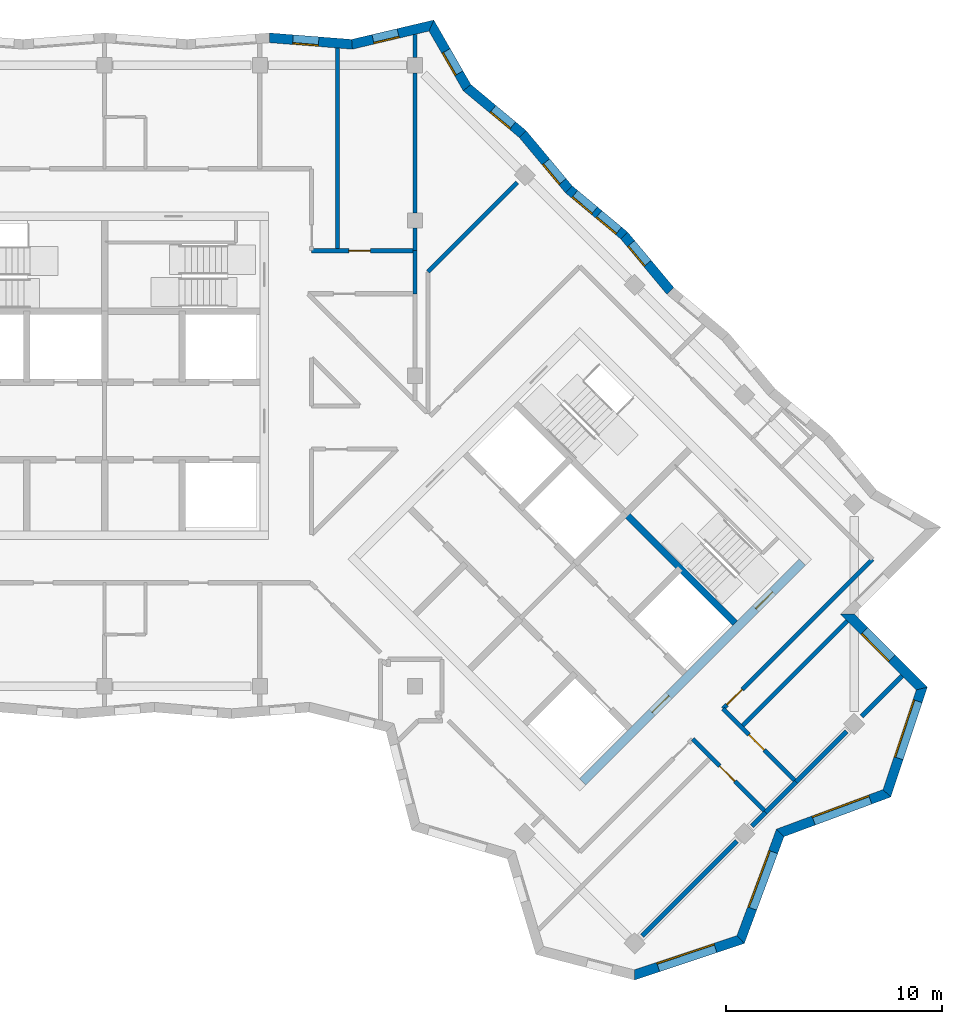
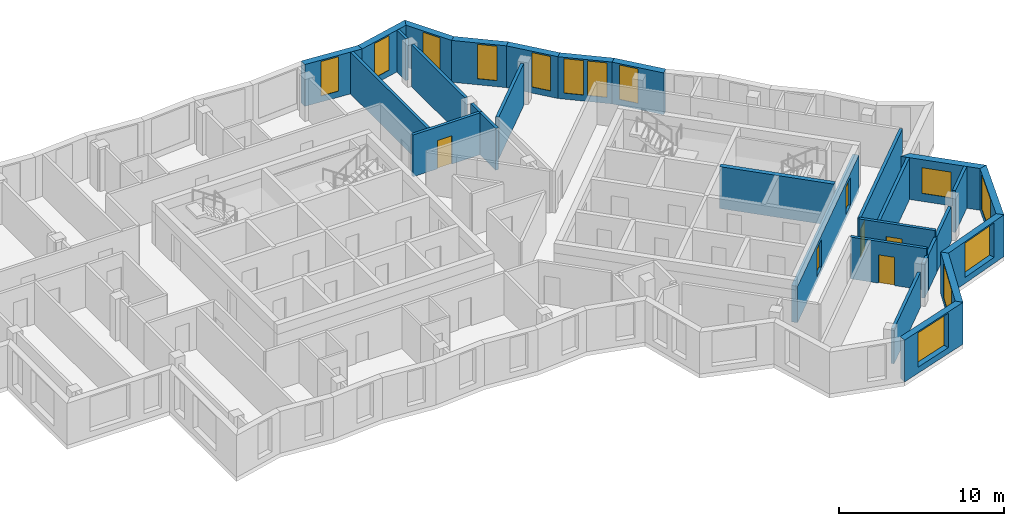
# One storey, part 7 of 13: 30 walls, 13 windows, 6 doors, 19 openings.
"""IFC4 building model written with IfcOpenShell, lengths in metres."""

from ifc_helpers import new_model, si_unit, direction, frame, frame_2d, origin, place, context, subcontext, project, spatial, polyline, rectangle, outline, extrude, material, layer, layer_set, type_object, element, fill, save


model = new_model("IFC4")

# Units and contexts
model_context = context("Model", 3, precision=1e-05, world=origin(), true_north=direction((0.0, 1.0)))
body_context = subcontext(model_context, "Body", "Model", "MODEL_VIEW")
ifc_project = project(units=[si_unit("LENGTHUNIT", "METRE"), si_unit("AREAUNIT", "SQUARE_METRE"), si_unit("VOLUMEUNIT", "CUBIC_METRE"), si_unit("PLANEANGLEUNIT", "RADIAN"), si_unit("MASSUNIT", "GRAM", prefix="KILO")], contexts=[model_context])

# Site, building, storey
site_placement = place(None, origin())
site = spatial("IfcSite", under=ifc_project, at=site_placement, CompositionType="ELEMENT")
building_placement = place(site_placement, origin())
building = spatial("IfcBuilding", under=site, at=building_placement, Name="Windrow Commons", CompositionType="ELEMENT")
storey_placement = place(building_placement, frame((0.0, 0.0, 243.8)))
storey = spatial("IfcBuildingStorey", under=building, at=storey_placement, Name="L66", CompositionType="ELEMENT", Elevation=243.8)

# Wall, opening, window
ifc_material_1 = material(Name="Brick masonry, red clay brick", Category="masonry")
ifc_layer_1 = layer(ifc_material_1, 0.45)
ifc_layer_set_1 = layer_set([ifc_layer_1], Name="Brick facade wall 450")
wall_type_1 = type_object("IfcWallType", Name="Brick facade wall 450", PredefinedType="SOLIDWALL", material=ifc_layer_set_1)
wall_1_placement = place(storey_placement, frame((89.3743, 29.8081, 0.0), z_axis=(0.0, 0.0, 1.0), x_axis=(0.948685224, 0.3162219882, 0.0)))
wall_1 = element("IfcWall", 1, at=wall_1_placement, inside=storey, type_object=wall_type_1, Name="Brick facade wall L66 1", PredefinedType="SOLIDWALL", context=body_context, shape_type="SweptSolid", body=[
    extrude(outline(polyline([(-0.0665, -0.225), (5.3, -0.225), (5.0845, 0.225), (0.0665, 0.225), (-0.0665, -0.225)])), origin(), (0.0, 0.0, 1.0), 3.1),
])
opening_1_placement = place(wall_1_placement, frame((1.157, 0.0, 0.45)))
opening_1 = element("IfcOpeningElement", 2, at=opening_1_placement, cuts=wall_1, Name="Opening W1V", PredefinedType="OPENING", context=body_context, shape_type="SweptSolid", body=[
    extrude(rectangle(XDim=2.8, YDim=2.55, at=frame_2d((1.4, 1.275))), frame((0.0, 0.235, 0.0), z_axis=(0.0, -1.0, 0.0), x_axis=(1.0, 0.0, 0.0)), (0.0, 0.0, 1.0), 0.47),
])
ifc_material_2 = material(Name="Clear float glass in anodised aluminium frame", Category="aluminium")
window_type_1 = type_object("IfcWindowType", Name="Window W1V bedroom 2800x2550", PartitioningType="SINGLE_PANEL", PredefinedType="WINDOW", material=ifc_material_2)
window_1_placement = place(opening_1_placement, origin())
window_1 = element("IfcWindow", 3, at=window_1_placement, inside=storey, type_object=window_type_1, Name="Window L66 1.1", OverallHeight=2.55, OverallWidth=2.8, PartitioningType="SINGLE_PANEL", PredefinedType="WINDOW", context=body_context, shape_type="SweptSolid", body=[
    extrude(rectangle(XDim=2.8, YDim=2.55, at=frame_2d((1.4, 1.275))), frame((0.0, 0.205, 0.0), z_axis=(0.0, -1.0, 0.0), x_axis=(1.0, 0.0, 0.0)), (0.0, 0.0, 1.0), 0.06),
])
fill(opening_1, window_1)

wall_2_placement = place(storey_placement, frame((94.3001, 31.45, 0.0), z_axis=(0.0, 0.0, 1.0), x_axis=(0.3481927166, 0.9374229739, 0.0)))
wall_2 = element("IfcWall", 4, at=wall_2_placement, inside=storey, type_object=wall_type_1, Name="Brick facade wall L66 2", PredefinedType="SOLIDWALL", context=body_context, shape_type="SweptSolid", body=[
    extrude(outline(polyline([(-0.1078, -0.225), (5.1724, -0.225), (5.3786, 0.225), (0.1078, 0.225), (-0.1078, -0.225)])), origin(), (0.0, 0.0, 1.0), 3.1),
])
opening_2_placement = place(wall_2_placement, frame((1.5336, 0.0, 0.45)))
opening_2 = element("IfcOpeningElement", 5, at=opening_2_placement, cuts=wall_2, Name="Opening W1V", PredefinedType="OPENING", context=body_context, shape_type="SweptSolid", body=[
    extrude(rectangle(XDim=2.8, YDim=2.55, at=frame_2d((1.4, 1.275))), frame((0.0, 0.235, 0.0), z_axis=(0.0, -1.0, 0.0), x_axis=(1.0, 0.0, 0.0)), (0.0, 0.0, 1.0), 0.47),
])
window_2_placement = place(opening_2_placement, origin())
window_2 = element("IfcWindow", 6, at=window_2_placement, inside=storey, type_object=window_type_1, Name="Window L66 2.1", OverallHeight=2.55, OverallWidth=2.8, PartitioningType="SINGLE_PANEL", PredefinedType="WINDOW", context=body_context, shape_type="SweptSolid", body=[
    extrude(rectangle(XDim=2.8, YDim=2.55, at=frame_2d((1.4, 1.275))), frame((0.0, 0.205, 0.0), z_axis=(0.0, -1.0, 0.0), x_axis=(1.0, 0.0, 0.0)), (0.0, 0.0, 1.0), 0.06),
])
fill(opening_2, window_2)

wall_3_placement = place(storey_placement, frame((96.137, 36.3954, 0.0), z_axis=(0.0, 0.0, 1.0), x_axis=(0.937429161, 0.3481760591, 0.0)))
wall_3 = element("IfcWall", 7, at=wall_3_placement, inside=storey, type_object=wall_type_1, Name="Brick facade wall L66 3", PredefinedType="SOLIDWALL", context=body_context, shape_type="SweptSolid", body=[
    extrude(outline(polyline([(0.1031, -0.225), (5.3833, -0.225), (5.1677, 0.225), (-0.1031, 0.225), (0.1031, -0.225)])), origin(), (0.0, 0.0, 1.0), 3.1),
])
opening_3_placement = place(wall_3_placement, frame((1.6509, 0.0, 0.45)))
opening_3 = element("IfcOpeningElement", 8, at=opening_3_placement, cuts=wall_3, Name="Opening W1V", PredefinedType="OPENING", context=body_context, shape_type="SweptSolid", body=[
    extrude(rectangle(XDim=2.8, YDim=2.55, at=frame_2d((1.4, 1.275))), frame((0.0, 0.235, 0.0), z_axis=(0.0, -1.0, 0.0), x_axis=(1.0, 0.0, 0.0)), (0.0, 0.0, 1.0), 0.47),
])
window_3_placement = place(opening_3_placement, origin())
window_3 = element("IfcWindow", 9, at=window_3_placement, inside=storey, type_object=window_type_1, Name="Window L66 3.1", OverallHeight=2.55, OverallWidth=2.8, PartitioningType="SINGLE_PANEL", PredefinedType="WINDOW", context=body_context, shape_type="SweptSolid", body=[
    extrude(rectangle(XDim=2.8, YDim=2.55, at=frame_2d((1.4, 1.275))), frame((0.0, 0.205, 0.0), z_axis=(0.0, -1.0, 0.0), x_axis=(1.0, 0.0, 0.0)), (0.0, 0.0, 1.0), 0.06),
])
fill(opening_3, window_3)

wall_4_placement = place(storey_placement, frame((101.0824, 38.2322, 0.0), z_axis=(0.0, 0.0, 1.0), x_axis=(0.316227766, 0.9486832981, 0.0)))
wall_4 = element("IfcWall", 10, at=wall_4_placement, inside=storey, type_object=wall_type_1, Name="Brick facade wall L66 4", PredefinedType="SOLIDWALL", context=body_context, shape_type="SweptSolid", body=[
    extrude(outline(polyline([(-0.1078, -0.225), (5.2588, -0.225), (4.9807, 0.225), (0.1078, 0.225), (-0.1078, -0.225)])), origin(), (0.0, 0.0, 1.0), 3.1),
])
opening_4_placement = place(wall_4_placement, frame((1.7112, 0.0, 0.45)))
opening_4 = element("IfcOpeningElement", 11, at=opening_4_placement, cuts=wall_4, Name="Opening W1V", PredefinedType="OPENING", context=body_context, shape_type="SweptSolid", body=[
    extrude(rectangle(XDim=2.8, YDim=2.55, at=frame_2d((1.4, 1.275))), frame((0.0, 0.235, 0.0), z_axis=(0.0, -1.0, 0.0), x_axis=(1.0, 0.0, 0.0)), (0.0, 0.0, 1.0), 0.47),
])
window_4_placement = place(opening_4_placement, origin())
window_4 = element("IfcWindow", 12, at=window_4_placement, inside=storey, type_object=window_type_1, Name="Window L66 4.1", OverallHeight=2.55, OverallWidth=2.8, PartitioningType="SINGLE_PANEL", PredefinedType="WINDOW", context=body_context, shape_type="SweptSolid", body=[
    extrude(rectangle(XDim=2.8, YDim=2.55, at=frame_2d((1.4, 1.275))), frame((0.0, 0.205, 0.0), z_axis=(0.0, -1.0, 0.0), x_axis=(1.0, 0.0, 0.0)), (0.0, 0.0, 1.0), 0.06),
])
fill(opening_4, window_4)

wall_5_placement = place(storey_placement, frame((102.7014, 43.0892, 0.0), z_axis=(0.0, 0.0, 1.0), x_axis=(-0.7070965479, 0.7071170144, 0.0)))
wall_5 = element("IfcWall", 13, at=wall_5_placement, inside=storey, type_object=wall_type_1, Name="Brick facade wall L66 5", PredefinedType="SOLIDWALL", context=body_context, shape_type="SweptSolid", body=[
    extrude(outline(polyline([(-0.1391, -0.225), (4.661, -0.225), (5.111, 0.225), (0.1391, 0.225), (-0.1391, -0.225)])), origin(), (0.0, 0.0, 1.0), 3.1),
])
opening_5_placement = place(wall_5_placement, frame((1.9735, 0.0, 0.6)))
opening_5 = element("IfcOpeningElement", 14, at=opening_5_placement, cuts=wall_5, Name="Opening W1L", PredefinedType="OPENING", context=body_context, shape_type="SweptSolid", body=[
    extrude(rectangle(XDim=1.8, YDim=1.9, at=frame_2d((0.9, 0.95))), frame((0.0, 0.235, 0.0), z_axis=(0.0, -1.0, 0.0), x_axis=(1.0, 0.0, 0.0)), (0.0, 0.0, 1.0), 0.47),
])
ifc_material_3 = material(Name="Clear float glass in anodised aluminium frame", Category="aluminium")
window_type_2 = type_object("IfcWindowType", Name="Window W1L bedroom 1800x1900", PartitioningType="SINGLE_PANEL", PredefinedType="WINDOW", material=ifc_material_3)
window_5_placement = place(opening_5_placement, origin())
window_5 = element("IfcWindow", 15, at=window_5_placement, inside=storey, type_object=window_type_2, Name="Window L66 5.1", OverallHeight=1.9, OverallWidth=1.8, PartitioningType="SINGLE_PANEL", PredefinedType="WINDOW", context=body_context, shape_type="SweptSolid", body=[
    extrude(rectangle(XDim=1.8, YDim=1.9, at=frame_2d((0.9, 0.95))), frame((0.0, 0.205, 0.0), z_axis=(0.0, -1.0, 0.0), x_axis=(1.0, 0.0, 0.0)), (0.0, 0.0, 1.0), 0.06),
])
fill(opening_5, window_5)

wall_6_placement = place(storey_placement, frame((91.0364, 61.5412, 0.0), z_axis=(0.0, 0.0, 1.0), x_axis=(-0.6407407387, 0.7677573222, 0.0)))
wall_6 = element("IfcWall", 16, at=wall_6_placement, inside=storey, type_object=wall_type_1, Name="Brick facade wall L66 12", PredefinedType="SOLIDWALL", context=body_context, shape_type="SweptSolid", body=[
    extrude(outline(polyline([(0.0203, -0.225), (3.3608, -0.225), (3.3202, 0.225), (-0.0203, 0.225), (0.0203, -0.225)])), origin(), (0.0, 0.0, 1.0), 3.1),
])
opening_6_placement = place(wall_6_placement, frame((1.6454, 0.0, 0.45)))
opening_6 = element("IfcOpeningElement", 17, at=opening_6_placement, cuts=wall_6, Name="Opening W7F", PredefinedType="OPENING", context=body_context, shape_type="SweptSolid", body=[
    extrude(rectangle(XDim=1.2, YDim=2.55, at=frame_2d((0.6, 1.275))), frame((0.0, 0.235, 0.0), z_axis=(0.0, -1.0, 0.0), x_axis=(1.0, 0.0, 0.0)), (0.0, 0.0, 1.0), 0.47),
])
ifc_material_4 = material(Name="Clear float glass in anodised aluminium frame", Category="aluminium")
window_type_3 = type_object("IfcWindowType", Name="Window W7 notch 1200x2550", PartitioningType="SINGLE_PANEL", PredefinedType="WINDOW", material=ifc_material_4)
window_6_placement = place(opening_6_placement, origin())
window_6 = element("IfcWindow", 18, at=window_6_placement, inside=storey, type_object=window_type_3, Name="Window L66 12.1", OverallHeight=2.55, OverallWidth=1.2, PartitioningType="SINGLE_PANEL", PredefinedType="WINDOW", context=body_context, shape_type="SweptSolid", body=[
    extrude(rectangle(XDim=1.2, YDim=2.55, at=frame_2d((0.6, 1.275))), frame((0.0, 0.205, 0.0), z_axis=(0.0, -1.0, 0.0), x_axis=(1.0, 0.0, 0.0)), (0.0, 0.0, 1.0), 0.06),
])
fill(opening_6, window_6)

# Wall, openings, windows
wall_7_placement = place(storey_placement, frame((88.896, 64.1059, 0.0), z_axis=(0.0, 0.0, 1.0), x_axis=(-0.7677573222, 0.6407407387, 0.0)))
wall_7 = element("IfcWall", 19, at=wall_7_placement, inside=storey, type_object=wall_type_1, Name="Brick facade wall L66 13", PredefinedType="SOLIDWALL", context=body_context, shape_type="SweptSolid", body=[
    extrude(outline(polyline([(-0.0203, -0.225), (3.3202, -0.225), (3.3608, 0.225), (0.0203, 0.225), (-0.0203, -0.225)])), origin(), (0.0, 0.0, 1.0), 3.1),
])
opening_7_placement = place(wall_7_placement, frame((0.3325, 0.0, 0.45)))
opening_7 = element("IfcOpeningElement", 20, at=opening_7_placement, cuts=wall_7, Name="Opening W7F", PredefinedType="OPENING", context=body_context, shape_type="SweptSolid", body=[
    extrude(rectangle(XDim=1.2, YDim=2.55, at=frame_2d((0.6, 1.275))), frame((0.0, 0.235, 0.0), z_axis=(0.0, -1.0, 0.0), x_axis=(1.0, 0.0, 0.0)), (0.0, 0.0, 1.0), 0.47),
])
opening_8_placement = place(wall_7_placement, frame((1.7926, 0.0, 0.45)))
opening_8 = element("IfcOpeningElement", 21, at=opening_8_placement, cuts=wall_7, Name="Opening W7F", PredefinedType="OPENING", context=body_context, shape_type="SweptSolid", body=[
    extrude(rectangle(XDim=1.2, YDim=2.55, at=frame_2d((0.6, 1.275))), frame((0.0, 0.235, 0.0), z_axis=(0.0, -1.0, 0.0), x_axis=(1.0, 0.0, 0.0)), (0.0, 0.0, 1.0), 0.47),
])
window_7_placement = place(opening_7_placement, origin())
window_7 = element("IfcWindow", 22, at=window_7_placement, inside=storey, type_object=window_type_3, Name="Window L66 13.1", OverallHeight=2.55, OverallWidth=1.2, PartitioningType="SINGLE_PANEL", PredefinedType="WINDOW", context=body_context, shape_type="SweptSolid", body=[
    extrude(rectangle(XDim=1.2, YDim=2.55, at=frame_2d((0.6, 1.275))), frame((0.0, 0.205, 0.0), z_axis=(0.0, -1.0, 0.0), x_axis=(1.0, 0.0, 0.0)), (0.0, 0.0, 1.0), 0.06),
])
fill(opening_7, window_7)
window_8_placement = place(opening_8_placement, origin())
window_8 = element("IfcWindow", 23, at=window_8_placement, inside=storey, type_object=window_type_3, Name="Window L66 13.2", OverallHeight=2.55, OverallWidth=1.2, PartitioningType="SINGLE_PANEL", PredefinedType="WINDOW", context=body_context, shape_type="SweptSolid", body=[
    extrude(rectangle(XDim=1.2, YDim=2.55, at=frame_2d((0.6, 1.275))), frame((0.0, 0.205, 0.0), z_axis=(0.0, -1.0, 0.0), x_axis=(1.0, 0.0, 0.0)), (0.0, 0.0, 1.0), 0.06),
])
fill(opening_8, window_8)

# Wall, opening, window
wall_8_placement = place(storey_placement, frame((86.3313, 66.2463, 0.0), z_axis=(0.0, 0.0, 1.0), x_axis=(-0.6407554652, 0.7677450318, 0.0)))
wall_8 = element("IfcWall", 24, at=wall_8_placement, inside=storey, type_object=wall_type_1, Name="Brick facade wall L66 14", PredefinedType="SOLIDWALL", context=body_context, shape_type="SweptSolid", body=[
    extrude(outline(polyline([(0.0203, -0.225), (3.3608, -0.225), (3.3202, 0.225), (-0.0203, 0.225), (0.0203, -0.225)])), origin(), (0.0, 0.0, 1.0), 3.1),
])
opening_9_placement = place(wall_8_placement, frame((0.4594, 0.0, 0.45)))
opening_9 = element("IfcOpeningElement", 25, at=opening_9_placement, cuts=wall_8, Name="Opening W7F", PredefinedType="OPENING", context=body_context, shape_type="SweptSolid", body=[
    extrude(rectangle(XDim=1.2, YDim=2.55, at=frame_2d((0.6, 1.275))), frame((0.0, 0.235, 0.0), z_axis=(0.0, -1.0, 0.0), x_axis=(1.0, 0.0, 0.0)), (0.0, 0.0, 1.0), 0.47),
])
window_9_placement = place(opening_9_placement, origin())
window_9 = element("IfcWindow", 26, at=window_9_placement, inside=storey, type_object=window_type_3, Name="Window L66 14.1", OverallHeight=2.55, OverallWidth=1.2, PartitioningType="SINGLE_PANEL", PredefinedType="WINDOW", context=body_context, shape_type="SweptSolid", body=[
    extrude(rectangle(XDim=1.2, YDim=2.55, at=frame_2d((0.6, 1.275))), frame((0.0, 0.205, 0.0), z_axis=(0.0, -1.0, 0.0), x_axis=(1.0, 0.0, 0.0)), (0.0, 0.0, 1.0), 0.06),
])
fill(opening_9, window_9)

wall_9_placement = place(storey_placement, frame((84.1909, 68.8109, 0.0), z_axis=(0.0, 0.0, 1.0), x_axis=(-0.7677527536, 0.6407462128, 0.0)))
wall_9 = element("IfcWall", 27, at=wall_9_placement, inside=storey, type_object=wall_type_1, Name="Brick facade wall L66 15", PredefinedType="SOLIDWALL", context=body_context, shape_type="SweptSolid", body=[
    extrude(outline(polyline([(-0.0203, -0.225), (3.3202, -0.225), (3.4007, 0.225), (0.0203, 0.225), (-0.0203, -0.225)])), origin(), (0.0, 0.0, 1.0), 3.1),
])
opening_10_placement = place(wall_9_placement, frame((0.6066, 0.0, 0.45)))
opening_10 = element("IfcOpeningElement", 28, at=opening_10_placement, cuts=wall_9, Name="Opening W7F", PredefinedType="OPENING", context=body_context, shape_type="SweptSolid", body=[
    extrude(rectangle(XDim=1.2, YDim=2.55, at=frame_2d((0.6, 1.275))), frame((0.0, 0.235, 0.0), z_axis=(0.0, -1.0, 0.0), x_axis=(1.0, 0.0, 0.0)), (0.0, 0.0, 1.0), 0.47),
])
window_10_placement = place(opening_10_placement, origin())
window_10 = element("IfcWindow", 29, at=window_10_placement, inside=storey, type_object=window_type_3, Name="Window L66 15.1", OverallHeight=2.55, OverallWidth=1.2, PartitioningType="SINGLE_PANEL", PredefinedType="WINDOW", context=body_context, shape_type="SweptSolid", body=[
    extrude(rectangle(XDim=1.2, YDim=2.55, at=frame_2d((0.6, 1.275))), frame((0.0, 0.205, 0.0), z_axis=(0.0, -1.0, 0.0), x_axis=(1.0, 0.0, 0.0)), (0.0, 0.0, 1.0), 0.06),
])
fill(opening_10, window_10)

wall_10_placement = place(storey_placement, frame((81.6109, 70.9641, 0.0), z_axis=(0.0, 0.0, 1.0), x_axis=(-0.4979094823, 0.8672290052, 0.0)))
wall_10 = element("IfcWall", 30, at=wall_10_placement, inside=storey, type_object=wall_type_1, Name="Brick facade wall L66 16", PredefinedType="SOLIDWALL", context=body_context, shape_type="SweptSolid", body=[
    extrude(outline(polyline([(0.0403, -0.225), (3.4868, -0.225), (3.1513, 0.225), (-0.0403, 0.225), (0.0403, -0.225)])), origin(), (0.0, 0.0, 1.0), 3.1),
])
opening_11_placement = place(wall_10_placement, frame((0.7624, 0.0, 0.45)))
opening_11 = element("IfcOpeningElement", 31, at=opening_11_placement, cuts=wall_10, Name="Opening W7F", PredefinedType="OPENING", context=body_context, shape_type="SweptSolid", body=[
    extrude(rectangle(XDim=1.2, YDim=2.55, at=frame_2d((0.6, 1.275))), frame((0.0, 0.235, 0.0), z_axis=(0.0, -1.0, 0.0), x_axis=(1.0, 0.0, 0.0)), (0.0, 0.0, 1.0), 0.47),
])
window_11_placement = place(opening_11_placement, origin())
window_11 = element("IfcWindow", 32, at=window_11_placement, inside=storey, type_object=window_type_3, Name="Window L66 16.1", OverallHeight=2.55, OverallWidth=1.2, PartitioningType="SINGLE_PANEL", PredefinedType="WINDOW", context=body_context, shape_type="SweptSolid", body=[
    extrude(rectangle(XDim=1.2, YDim=2.55, at=frame_2d((0.6, 1.275))), frame((0.0, 0.205, 0.0), z_axis=(0.0, -1.0, 0.0), x_axis=(1.0, 0.0, 0.0)), (0.0, 0.0, 1.0), 0.06),
])
fill(opening_11, window_11)

wall_11_placement = place(storey_placement, frame((79.9583, 73.8425, 0.0), z_axis=(0.0, 0.0, 1.0), x_axis=(-0.973240833, -0.2297874693, 0.0)))
wall_11 = element("IfcWall", 33, at=wall_11_placement, inside=storey, type_object=wall_type_1, Name="Brick facade wall L66 17", PredefinedType="SOLIDWALL", context=body_context, shape_type="SweptSolid", body=[
    extrude(outline(polyline([(-0.1678, -0.225), (3.7492, -0.225), (3.8196, 0.225), (0.1678, 0.225), (-0.1678, -0.225)])), origin(), (0.0, 0.0, 1.0), 3.1),
])
opening_12_placement = place(wall_11_placement, frame((1.5818, 0.0, 0.45)))
opening_12 = element("IfcOpeningElement", 34, at=opening_12_placement, cuts=wall_11, Name="Opening W7F", PredefinedType="OPENING", context=body_context, shape_type="SweptSolid", body=[
    extrude(rectangle(XDim=1.2, YDim=2.55, at=frame_2d((0.6, 1.275))), frame((0.0, 0.235, 0.0), z_axis=(0.0, -1.0, 0.0), x_axis=(1.0, 0.0, 0.0)), (0.0, 0.0, 1.0), 0.47),
])
window_12_placement = place(opening_12_placement, origin())
window_12 = element("IfcWindow", 35, at=window_12_placement, inside=storey, type_object=window_type_3, Name="Window L66 17.1", OverallHeight=2.55, OverallWidth=1.2, PartitioningType="SINGLE_PANEL", PredefinedType="WINDOW", context=body_context, shape_type="SweptSolid", body=[
    extrude(rectangle(XDim=1.2, YDim=2.55, at=frame_2d((0.6, 1.275))), frame((0.0, 0.205, 0.0), z_axis=(0.0, -1.0, 0.0), x_axis=(1.0, 0.0, 0.0)), (0.0, 0.0, 1.0), 0.06),
])
fill(opening_12, window_12)

wall_12_placement = place(storey_placement, frame((76.2752, 72.9729, 0.0), z_axis=(0.0, 0.0, 1.0), x_axis=(-0.9969172534, 0.078460116, 0.0)))
wall_12 = element("IfcWall", 36, at=wall_12_placement, inside=storey, type_object=wall_type_1, Name="Brick facade wall L66 18", PredefinedType="SOLIDWALL", context=body_context, shape_type="SweptSolid", body=[
    extrude(outline(polyline([(0.0352, -0.225), (3.8591, -0.225), (3.8237, 0.225), (-0.0352, 0.225), (0.0352, -0.225)])), origin(), (0.0, 0.0, 1.0), 3.1),
])
opening_13_placement = place(wall_12_placement, frame((1.5505, 0.0, 0.45)))
opening_13 = element("IfcOpeningElement", 37, at=opening_13_placement, cuts=wall_12, Name="Opening W7F", PredefinedType="OPENING", context=body_context, shape_type="SweptSolid", body=[
    extrude(rectangle(XDim=1.2, YDim=2.55, at=frame_2d((0.6, 1.275))), frame((0.0, 0.235, 0.0), z_axis=(0.0, -1.0, 0.0), x_axis=(1.0, 0.0, 0.0)), (0.0, 0.0, 1.0), 0.47),
])
window_13_placement = place(opening_13_placement, origin())
window_13 = element("IfcWindow", 38, at=window_13_placement, inside=storey, type_object=window_type_3, Name="Window L66 18.1", OverallHeight=2.55, OverallWidth=1.2, PartitioningType="SINGLE_PANEL", PredefinedType="WINDOW", context=body_context, shape_type="SweptSolid", body=[
    extrude(rectangle(XDim=1.2, YDim=2.55, at=frame_2d((0.6, 1.275))), frame((0.0, 0.205, 0.0), z_axis=(0.0, -1.0, 0.0), x_axis=(1.0, 0.0, 0.0)), (0.0, 0.0, 1.0), 0.06),
])
fill(opening_13, window_13)

# Wall, opening, door
ifc_material_5 = material(Name="Blockwork partition", Category="masonry")
ifc_layer_2 = layer(ifc_material_5, 0.2)
ifc_layer_set_2 = layer_set([ifc_layer_2], Name="IW-CORRIDOR-200")
wall_type_2 = type_object("IfcWallType", Name="IW-CORRIDOR-200", PredefinedType="PARTITIONING", material=ifc_layer_set_2)
wall_13_placement = place(storey_placement, frame((93.4829, 42.1611, 0.0), z_axis=(0.0, 0.0, 1.0), x_axis=(0.7071067812, 0.7071067812, 0.0)))
wall_13 = element("IfcWall", 39, at=wall_13_placement, inside=storey, type_object=wall_type_2, Name="W-L66-W007", PredefinedType="PARTITIONING", context=body_context, shape_type="SweptSolid", body=[
    extrude(rectangle(XDim=9.8005, YDim=0.2, at=frame_2d((4.9002, 0.0))), origin(), (0.0, 0.0, 1.0), 3.1),
])
opening_14_placement = place(wall_13_placement, frame((0.255, 0.0, 0.0)))
opening_14 = element("IfcOpeningElement", 40, at=opening_14_placement, cuts=wall_13, Name="Opening D310F", PredefinedType="OPENING", context=body_context, shape_type="SweptSolid", body=[
    extrude(rectangle(XDim=1.0, YDim=2.1, at=frame_2d((0.5, 1.05))), frame((0.0, 0.11, 0.0), z_axis=(0.0, -1.0, 0.0), x_axis=(1.0, 0.0, 0.0)), (0.0, 0.0, 1.0), 0.22),
])
ifc_material_6 = material(Name="Timber door leaf", Category="wood")
door_type_1 = type_object("IfcDoorType", Name="DT-AMENITY-1000", OperationType="SINGLE_SWING_LEFT", PredefinedType="DOOR", material=ifc_material_6)
door_1_placement = place(opening_14_placement, origin())
door_1 = element("IfcDoor", 41, at=door_1_placement, inside=storey, type_object=door_type_1, Name="D-L66-D028", OperationType="SINGLE_SWING_RIGHT", OverallHeight=2.1, OverallWidth=1.0, PredefinedType="DOOR", context=body_context, shape_type="SweptSolid", body=[
    extrude(rectangle(XDim=1.0, YDim=2.1, at=frame_2d((0.5, 1.05))), frame((0.0, 0.025, 0.0), z_axis=(0.0, -1.0, 0.0), x_axis=(1.0, 0.0, 0.0)), (0.0, 0.0, 1.0), 0.05),
])
fill(opening_14, door_1)

wall_14_placement = place(storey_placement, frame((93.4806, 42.1566, 0.0), z_axis=(0.0, 0.0, 1.0), x_axis=(0.7071067812, -0.7071067812, 0.0)))
wall_14 = element("IfcWall", 42, at=wall_14_placement, inside=storey, type_object=wall_type_2, Name="W-L66-W031", PredefinedType="PARTITIONING", context=body_context, shape_type="SweptSolid", body=[
    extrude(rectangle(XDim=4.7998, YDim=0.2, at=frame_2d((2.3999, 0.0))), origin(), (0.0, 0.0, 1.0), 3.1),
])
opening_15_placement = place(wall_14_placement, frame((1.7071, 0.0, 0.0)))
opening_15 = element("IfcOpeningElement", 43, at=opening_15_placement, cuts=wall_14, Name="Opening D310F", PredefinedType="OPENING", context=body_context, shape_type="SweptSolid", body=[
    extrude(rectangle(XDim=1.0, YDim=2.1, at=frame_2d((0.5, 1.05))), frame((0.0, 0.11, 0.0), z_axis=(0.0, -1.0, 0.0), x_axis=(1.0, 0.0, 0.0)), (0.0, 0.0, 1.0), 0.22),
])
door_2_placement = place(opening_15_placement, origin())
door_2 = element("IfcDoor", 44, at=door_2_placement, inside=storey, type_object=door_type_1, Name="D-L66-D034", OperationType="SINGLE_SWING_RIGHT", OverallHeight=2.1, OverallWidth=1.0, PredefinedType="DOOR", context=body_context, shape_type="SweptSolid", body=[
    extrude(rectangle(XDim=1.0, YDim=2.1, at=frame_2d((0.5, 1.05))), frame((0.0, 0.025, 0.0), z_axis=(0.0, -1.0, 0.0), x_axis=(1.0, 0.0, 0.0)), (0.0, 0.0, 1.0), 0.05),
])
fill(opening_15, door_2)

wall_15_placement = place(storey_placement, frame((92.0735, 40.7495, 0.0), z_axis=(0.0, 0.0, 1.0), x_axis=(0.7071067812, -0.7071067812, 0.0)))
wall_15 = element("IfcWall", 45, at=wall_15_placement, inside=storey, type_object=wall_type_2, Name="W-L66-W032", PredefinedType="PARTITIONING", context=body_context, shape_type="SweptSolid", body=[
    extrude(rectangle(XDim=4.7998, YDim=0.2, at=frame_2d((2.3999, 0.0))), origin(), (0.0, 0.0, 1.0), 3.1),
])
opening_16_placement = place(wall_15_placement, frame((1.7671, 0.0, 0.0)))
opening_16 = element("IfcOpeningElement", 46, at=opening_16_placement, cuts=wall_15, Name="Opening D310F", PredefinedType="OPENING", context=body_context, shape_type="SweptSolid", body=[
    extrude(rectangle(XDim=1.0, YDim=2.1, at=frame_2d((0.5, 1.05))), frame((0.0, 0.11, 0.0), z_axis=(0.0, -1.0, 0.0), x_axis=(1.0, 0.0, 0.0)), (0.0, 0.0, 1.0), 0.22),
])
door_3_placement = place(opening_16_placement, origin())
door_3 = element("IfcDoor", 47, at=door_3_placement, inside=storey, type_object=door_type_1, Name="D-L66-D033", OperationType="SINGLE_SWING_LEFT", OverallHeight=2.1, OverallWidth=1.0, PredefinedType="DOOR", context=body_context, shape_type="SweptSolid", body=[
    extrude(rectangle(XDim=1.0, YDim=2.1, at=frame_2d((0.5, 1.05))), frame((0.0, 0.025, 0.0), z_axis=(0.0, -1.0, 0.0), x_axis=(1.0, 0.0, 0.0)), (0.0, 0.0, 1.0), 0.05),
])
fill(opening_16, door_3)

wall_16_placement = place(storey_placement, frame((74.402, 63.4, 0.0), z_axis=(0.0, 0.0, 1.0), x_axis=(1.0, 0.0, 0.0)))
wall_16 = element("IfcWall", 48, at=wall_16_placement, inside=storey, type_object=wall_type_2, Name="W-L66-W033", PredefinedType="PARTITIONING", context=body_context, shape_type="SweptSolid", body=[
    extrude(rectangle(XDim=4.798, YDim=0.2, at=frame_2d((2.399, 0.0))), origin(), (0.0, 0.0, 1.0), 3.1),
])
opening_17_placement = place(wall_16_placement, frame((1.723, 0.0, 0.0)))
opening_17 = element("IfcOpeningElement", 49, at=opening_17_placement, cuts=wall_16, Name="Opening D310F", PredefinedType="OPENING", context=body_context, shape_type="SweptSolid", body=[
    extrude(rectangle(XDim=1.0, YDim=2.1, at=frame_2d((0.5, 1.05))), frame((0.0, 0.11, 0.0), z_axis=(0.0, -1.0, 0.0), x_axis=(1.0, 0.0, 0.0)), (0.0, 0.0, 1.0), 0.22),
])
door_4_placement = place(opening_17_placement, origin())
door_4 = element("IfcDoor", 50, at=door_4_placement, inside=storey, type_object=door_type_1, Name="D-L66-D010", OperationType="SINGLE_SWING_LEFT", OverallHeight=2.1, OverallWidth=1.0, PredefinedType="DOOR", context=body_context, shape_type="SweptSolid", body=[
    extrude(rectangle(XDim=1.0, YDim=2.1, at=frame_2d((0.5, 1.05))), frame((0.0, 0.025, 0.0), z_axis=(0.0, -1.0, 0.0), x_axis=(1.0, 0.0, 0.0)), (0.0, 0.0, 1.0), 0.05),
])
fill(opening_17, door_4)

# Walls
wall_17_placement = place(storey_placement, frame((79.2, 61.4, 0.0), z_axis=(0.0, 0.0, 1.0), x_axis=(0.0, 1.0, 0.0)))
element("IfcWall", 51, at=wall_17_placement, inside=storey, type_object=wall_type_2, Name="W-L66-W079", PredefinedType="PARTITIONING", context=body_context, shape_type="SweptSolid", body=[
    extrude(rectangle(XDim=2.0, YDim=0.2, at=frame_2d((1.0, 0.0))), origin(), (0.0, 0.0, 1.0), 3.1),
])
wall_18_placement = place(storey_placement, frame((95.463, 37.353, 0.0), z_axis=(0.0, 0.0, 1.0), x_axis=(0.7071067812, 0.7071067812, 0.0)))
element("IfcWall", 52, at=wall_18_placement, inside=storey, type_object=wall_type_2, Name="W-L66-W080", PredefinedType="PARTITIONING", context=body_context, shape_type="SweptSolid", body=[
    extrude(rectangle(XDim=1.9997, YDim=0.2, at=frame_2d((0.9999, 0.0))), origin(), (0.0, 0.0, 1.0), 2.6),
])
ifc_material_7 = material(Name="Blockwork partition", Category="masonry")
ifc_layer_3 = layer(ifc_material_7, 0.2)
ifc_layer_set_3 = layer_set([ifc_layer_3], Name="IW-PARTY-200")
wall_type_3 = type_object("IfcWallType", Name="IW-PARTY-200", PredefinedType="PARTITIONING", material=ifc_layer_set_3)
wall_19_placement = place(storey_placement, frame((75.6, 63.4, 0.0), z_axis=(0.0, 0.0, 1.0), x_axis=(0.0, 1.0, 0.0)))
element("IfcWall", 53, at=wall_19_placement, inside=storey, type_object=wall_type_3, Name="W-L66-W009", PredefinedType="PARTITIONING", context=body_context, shape_type="SweptSolid", body=[
    extrude(rectangle(XDim=9.4004, YDim=0.2, at=frame_2d((4.7002, 0.0))), origin(), (0.0, 0.0, 1.0), 3.1),
])
wall_20_placement = place(storey_placement, frame((94.3314, 41.3126, 0.0), z_axis=(0.0, 0.0, 1.0), x_axis=(0.7071139756, 0.7070995867, 0.0)))
element("IfcWall", 54, at=wall_20_placement, inside=storey, type_object=wall_type_3, Name="W-L66-W014", PredefinedType="PARTITIONING", context=body_context, shape_type="SweptSolid", body=[
    extrude(rectangle(XDim=6.9498, YDim=0.2, at=frame_2d((3.4749, 0.0))), origin(), (0.0, 0.0, 1.0), 3.1),
])
wall_21_placement = place(storey_placement, frame((79.2, 65.15, 0.0), z_axis=(0.0, 0.0, 1.0), x_axis=(0.0, 1.0, 0.0)))
element("IfcWall", 55, at=wall_21_placement, inside=storey, type_object=wall_type_3, Name="W-L66-W018", PredefinedType="PARTITIONING", context=body_context, shape_type="SweptSolid", body=[
    extrude(rectangle(XDim=6.5, YDim=0.2, at=frame_2d((3.25, 0.0))), origin(), (0.0, 0.0, 1.0), 3.1),
])
wall_22_placement = place(storey_placement, frame((89.731, 31.621, 0.0), z_axis=(0.0, 0.0, 1.0), x_axis=(0.7071067812, 0.7071067812, 0.0)))
element("IfcWall", 56, at=wall_22_placement, inside=storey, type_object=wall_type_3, Name="W-L66-W022", PredefinedType="PARTITIONING", context=body_context, shape_type="SweptSolid", body=[
    extrude(rectangle(XDim=6.2112, YDim=0.2, at=frame_2d((3.1056, 0.0))), origin(), (0.0, 0.0, 1.0), 2.6),
])
wall_23_placement = place(storey_placement, frame((79.7993, 62.4187, 0.0), z_axis=(0.0, 0.0, 1.0), x_axis=(0.7071067812, 0.7071067812, 0.0)))
element("IfcWall", 57, at=wall_23_placement, inside=storey, type_object=wall_type_3, Name="W-L66-W025", PredefinedType="PARTITIONING", context=body_context, shape_type="SweptSolid", body=[
    extrude(rectangle(XDim=5.8577, YDim=0.2, at=frame_2d((2.9289, 0.0))), origin(), (0.0, 0.0, 1.0), 3.1),
])
wall_24_placement = place(storey_placement, frame((96.877, 38.767, 0.0), z_axis=(0.0, 0.0, 1.0), x_axis=(0.7071067812, 0.7071067812, 0.0)))
element("IfcWall", 58, at=wall_24_placement, inside=storey, type_object=wall_type_3, Name="W-L66-W051", PredefinedType="PARTITIONING", context=body_context, shape_type="SweptSolid", body=[
    extrude(rectangle(XDim=3.3064, YDim=0.2, at=frame_2d((1.6532, 0.0))), origin(), (0.0, 0.0, 1.0), 2.6),
])
wall_25_placement = place(storey_placement, frame((99.913, 41.803, 0.0), z_axis=(0.0, 0.0, 1.0), x_axis=(0.7071067812, 0.7071067812, 0.0)))
element("IfcWall", 59, at=wall_25_placement, inside=storey, type_object=wall_type_3, Name="W-L66-W056", PredefinedType="PARTITIONING", context=body_context, shape_type="SweptSolid", body=[
    extrude(rectangle(XDim=2.6562, YDim=0.2, at=frame_2d((1.3281, 0.0))), origin(), (0.0, 0.0, 1.0), 3.1),
])
wall_26_placement = place(storey_placement, frame((79.2, 63.4, 0.0), z_axis=(0.0, 0.0, 1.0), x_axis=(0.0, 1.0, 0.0)))
element("IfcWall", 60, at=wall_26_placement, inside=storey, type_object=wall_type_3, Name="W-L66-W094", PredefinedType="PARTITIONING", context=body_context, shape_type="SweptSolid", body=[
    extrude(rectangle(XDim=1.05, YDim=0.2, at=frame_2d((0.525, 0.0))), origin(), (0.0, 0.0, 1.0), 3.1),
])
wall_27_placement = place(storey_placement, frame((79.2, 72.35, 0.0), z_axis=(0.0, 0.0, 1.0), x_axis=(0.0, 1.0, 0.0)))
element("IfcWall", 61, at=wall_27_placement, inside=storey, type_object=wall_type_3, Name="W-L66-W095", PredefinedType="PARTITIONING", context=body_context, shape_type="SweptSolid", body=[
    extrude(rectangle(XDim=1.0823, YDim=0.2, at=frame_2d((0.5412, 0.0))), origin(), (0.0, 0.0, 1.0), 3.1),
])
wall_28_placement = place(storey_placement, frame((94.823, 36.713, 0.0), z_axis=(0.0, 0.0, 1.0), x_axis=(0.7071067812, 0.7071067812, 0.0)))
element("IfcWall", 62, at=wall_28_placement, inside=storey, type_object=wall_type_3, Name="W-L66-W106", PredefinedType="PARTITIONING", context=body_context, shape_type="SweptSolid", body=[
    extrude(rectangle(XDim=0.9051, YDim=0.2, at=frame_2d((0.4526, 0.0))), origin(), (0.0, 0.0, 1.0), 2.6),
])

# Wall, openings, doors
ifc_material_8 = material(Name="Concrete C40/50", Category="concrete")
ifc_layer_4 = layer(ifc_material_8, 0.4)
ifc_layer_set_4 = layer_set([ifc_layer_4], Name="RC CORE WALL 400 C40/50")
wall_type_4 = type_object("IfcWallType", Name="RC CORE WALL 400 C40/50", PredefinedType="SHEAR", material=ifc_layer_set_4)
wall_29_placement = place(storey_placement, frame((86.9782, 38.766, -0.3), z_axis=(0.0, 0.0, 1.0), x_axis=(0.7071067812, 0.7071067812, 0.0)))
wall_29 = element("IfcWall", 63, at=wall_29_placement, inside=storey, type_object=wall_type_4, Name="Core B wall outer-E", PredefinedType="SHEAR", context=body_context, shape_type="SweptSolid", body=[
    extrude(rectangle(XDim=14.3999, YDim=0.4, at=frame_2d((7.2, 0.0))), origin(), (0.0, 0.0, 1.0), 2.7),
])
opening_18_placement = place(wall_29_placement, frame((4.55, 0.0, 0.3)))
opening_18 = element("IfcOpeningElement", 64, at=opening_18_placement, cuts=wall_29, Name="Opening D6", PredefinedType="OPENING", context=body_context, shape_type="SweptSolid", body=[
    extrude(rectangle(XDim=1.1, YDim=2.1, at=frame_2d((0.55, 1.05))), frame((0.0, 0.21, 0.0), z_axis=(0.0, -1.0, 0.0), x_axis=(1.0, 0.0, 0.0)), (0.0, 0.0, 1.0), 0.42),
])
opening_19_placement = place(wall_29_placement, frame((11.35, 0.0, 0.3)))
opening_19 = element("IfcOpeningElement", 65, at=opening_19_placement, cuts=wall_29, Name="Opening D7", PredefinedType="OPENING", context=body_context, shape_type="SweptSolid", body=[
    extrude(rectangle(XDim=1.1, YDim=2.1, at=frame_2d((0.55, 1.05))), frame((0.0, 0.21, 0.0), z_axis=(0.0, -1.0, 0.0), x_axis=(1.0, 0.0, 0.0)), (0.0, 0.0, 1.0), 0.42),
])
ifc_material_9 = material(Name="Steel fire door leaf", Category="steel")
door_type_2 = type_object("IfcDoorType", Name="Core lobby door 1100", OperationType="SINGLE_SWING_LEFT", PredefinedType="DOOR", material=ifc_material_9)
door_5_placement = place(opening_18_placement, origin())
door_5 = element("IfcDoor", 66, at=door_5_placement, inside=storey, type_object=door_type_2, Name="Lift lobby door", OperationType="DOUBLE_DOOR_SINGLE_SWING", OverallHeight=2.1, OverallWidth=1.1, PredefinedType="DOOR", context=body_context, shape_type="SweptSolid", body=[
    extrude(rectangle(XDim=1.1, YDim=2.1, at=frame_2d((0.55, 1.05))), frame((0.0, 0.025, 0.0), z_axis=(0.0, -1.0, 0.0), x_axis=(1.0, 0.0, 0.0)), (0.0, 0.0, 1.0), 0.05),
])
fill(opening_18, door_5)
ifc_material_10 = material(Name="Steel fire door leaf", Category="steel")
door_type_3 = type_object("IfcDoorType", Name="Stair door 1100", OperationType="SINGLE_SWING_LEFT", PredefinedType="DOOR", material=ifc_material_10)
door_6_placement = place(opening_19_placement, origin())
door_6 = element("IfcDoor", 67, at=door_6_placement, inside=storey, type_object=door_type_3, Name="Stair door", OperationType="SINGLE_SWING_RIGHT", OverallHeight=2.1, OverallWidth=1.1, PredefinedType="DOOR", context=body_context, shape_type="SweptSolid", body=[
    extrude(rectangle(XDim=1.1, YDim=2.1, at=frame_2d((0.55, 1.05))), frame((0.0, 0.025, 0.0), z_axis=(0.0, -1.0, 0.0), x_axis=(1.0, 0.0, 0.0)), (0.0, 0.0, 1.0), 0.05),
])
fill(opening_19, door_6)

# Wall
ifc_material_11 = material(Name="Concrete C40/50", Category="concrete")
ifc_layer_5 = layer(ifc_material_11, 0.3)
ifc_layer_set_5 = layer_set([ifc_layer_5], Name="RC SHAFT WALL 300 C40/50")
wall_type_5 = type_object("IfcWallType", Name="RC SHAFT WALL 300 C40/50", PredefinedType="SOLIDWALL", material=ifc_layer_set_5)
wall_30_placement = place(storey_placement, frame((88.9581, 51.2111, 0.0), z_axis=(0.0, 0.0, 1.0), x_axis=(0.7070998367, -0.7071137256, 0.0)))
element("IfcWall", 68, at=wall_30_placement, inside=storey, type_object=wall_type_5, Name="Core B wall stair-S2", PredefinedType="SOLIDWALL", context=body_context, shape_type="SweptSolid", body=[
    extrude(rectangle(XDim=7.2, YDim=0.3, at=frame_2d((3.6, 0.0))), origin(), (0.0, 0.0, 1.0), 3.1),
])

save(model, "model.ifc")
